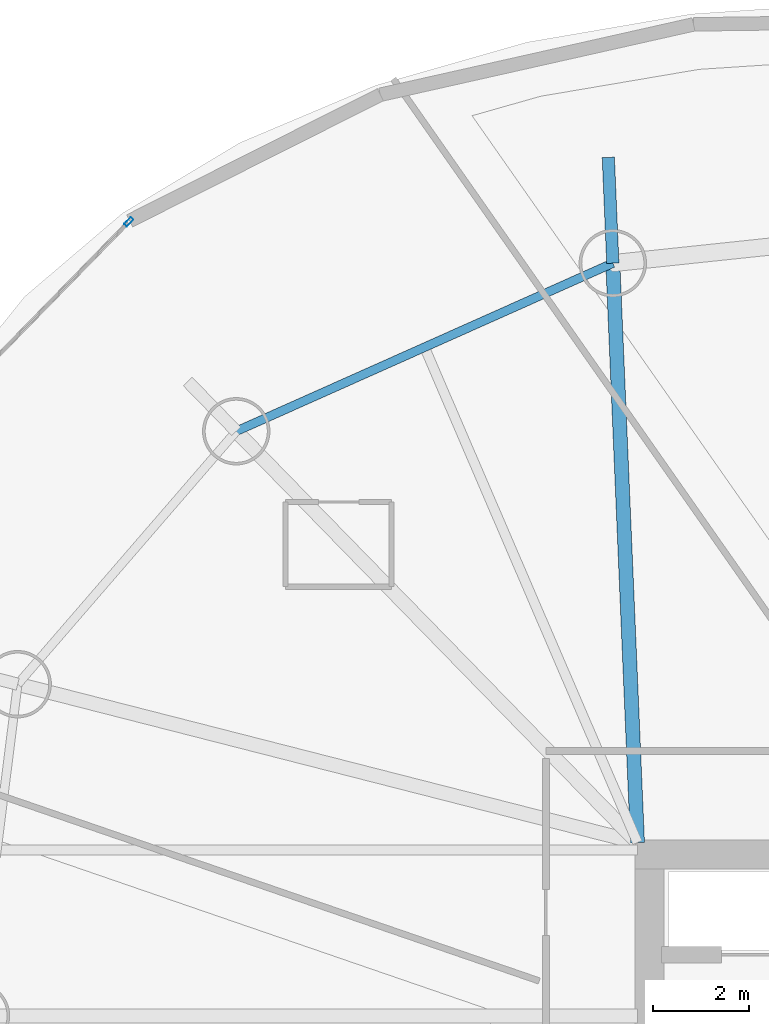
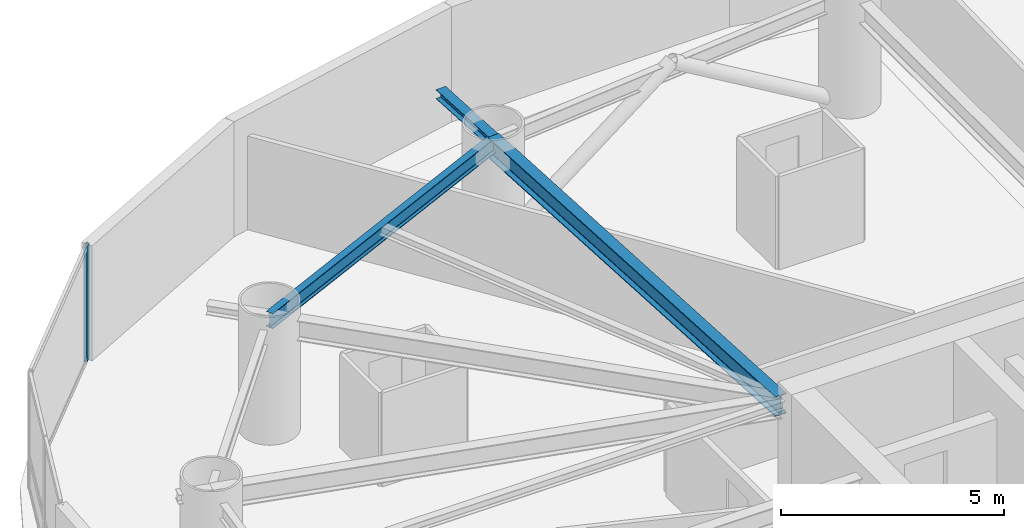
# One storey, part 12 of 21: 3 beams, 1 member, 1 element without a shape of its own.
"""IFC4 building model written with IfcOpenShell, lengths in metres."""

from ifc_helpers import new_model, si_unit, direction, frame, origin, origin_2d, place, context, subcontext, project, spatial, hollow_rectangle, i_section, extrude, material, layer, layer_set, material_profile, profile_set, type_object, element, aggregate, save


model = new_model("IFC4")

# Units and contexts
model_context = context("Model", 3, precision=1e-05, world=origin(), true_north=direction((0.0, 1.0)))
body_context = subcontext(model_context, "Body", "Model", "MODEL_VIEW")
ifc_project = project(units=[si_unit("LENGTHUNIT", "METRE"), si_unit("AREAUNIT", "SQUARE_METRE"), si_unit("VOLUMEUNIT", "CUBIC_METRE"), si_unit("PLANEANGLEUNIT", "RADIAN"), si_unit("MASSUNIT", "GRAM", prefix="KILO")], contexts=[model_context])

# Site, building, storey
site_placement = place(None, origin())
site = spatial("IfcSite", under=ifc_project, at=site_placement, CompositionType="ELEMENT")
building_placement = place(site_placement, origin())
building = spatial("IfcBuilding", under=site, at=building_placement, Name="Bramvorn Convention Spire", CompositionType="ELEMENT")
storey_placement = place(building_placement, frame((0.0, 0.0, 162.300048828125)))
storey = spatial("IfcBuildingStorey", under=building, at=storey_placement, Name="L41", CompositionType="ELEMENT", Elevation=162.300048828125)

# Beams
ifc_material_1 = material(Name="Steel CSA G40.21 Grade 350 (350W)", Category="steel")
ifc_material_profile_1 = material_profile(ifc_material_1, i_section(OverallWidth=0.25390625, OverallDepth=0.2529296875, WebThickness=0.008544921875, FlangeThickness=0.01416015625, FilletRadius=0.011962890625, at=origin_2d()))
ifc_profile_set_1 = profile_set([ifc_material_profile_1], Name="Steel CSA G40.21 Grade 350 (350W) - W250X73")
beam_type_1 = type_object("IfcBeamType", Name="BM-W250X73", PredefinedType="BEAM", material=ifc_profile_set_1)
beam_1_placement = place(storey_placement, frame((26.23828125, 45.478759765625, 3.0234375), z_axis=(-0.042535944966, 0.999094937123, 0.0), x_axis=(-0.999094937123, -0.042535944966, 0.0)))
element("IfcBeam", 1, at=beam_1_placement, inside=storey, type_object=beam_type_1, Name="L41 slab-edge cantilever tip beam MC07", PredefinedType="BEAM", context=body_context, shape_type="SweptSolid", body=[
    extrude(i_section(OverallWidth=0.25390625, OverallDepth=0.2529296875, WebThickness=0.008544921875, FlangeThickness=0.01416015625, FilletRadius=0.011962890625, at=origin_2d()), origin(), (0.0, 0.0, 1.0), 2.1982421875),
])
ifc_material_profile_2 = material_profile(ifc_material_1, i_section(OverallWidth=0.180908203125, OverallDepth=0.4169921875, WebThickness=0.010986328125, FlangeThickness=0.018310546875, FilletRadius=0.01611328125, at=origin_2d()))
ifc_profile_set_2 = profile_set([ifc_material_profile_2], Name="Steel CSA G40.21 Grade 350 (350W) - W410X85")
beam_type_2 = type_object("IfcBeamType", Name="BM-W410X85", PredefinedType="JOIST", material=ifc_profile_set_2)
beam_2_placement = place(storey_placement, frame((26.23828125, 45.478759765625, 2.94140625), z_axis=(-0.913169534701, -0.407579931908, 0.0), x_axis=(0.407579931908, -0.913169534701, 0.0)))
element("IfcBeam", 2, at=beam_2_placement, inside=storey, type_object=beam_type_2, Name="L41 mega-column ring beam 07", PredefinedType="JOIST", context=body_context, shape_type="SweptSolid", body=[
    extrude(i_section(OverallWidth=0.180908203125, OverallDepth=0.4169921875, WebThickness=0.010986328125, FlangeThickness=0.018310546875, FilletRadius=0.01611328125, at=origin_2d()), origin(), (0.0, 0.0, 1.0), 8.5615234375),
])
ifc_material_profile_3 = material_profile(ifc_material_1, i_section(OverallWidth=0.2919921875, OverallDepth=0.551025390625, WebThickness=0.01513671875, FlangeThickness=0.0244140625, FilletRadius=0.01904296875, at=origin_2d()))
ifc_profile_set_3 = profile_set([ifc_material_profile_3], Name="Steel CSA G40.21 Grade 350 (350W) - W530X182")
beam_type_3 = type_object("IfcBeamType", Name="BM-W530X182", PredefinedType="BEAM", material=ifc_profile_set_3)
beam_3_placement = place(storey_placement, frame((26.75, 33.449951171875, 2.87451171875), z_axis=(-0.042502657955, 0.999096353745, 0.0), x_axis=(-0.999096353745, -0.042502657955, 0.0)))
element("IfcBeam", 3, at=beam_3_placement, inside=storey, type_object=beam_type_3, Name="L41 radial floor girder MC07", PredefinedType="BEAM", context=body_context, shape_type="SweptSolid", body=[
    extrude(i_section(OverallWidth=0.2919921875, OverallDepth=0.551025390625, WebThickness=0.01513671875, FlangeThickness=0.0244140625, FilletRadius=0.01904296875, at=origin_2d()), origin(), (0.0, 0.0, 1.0), 12.039794921875),
])

# Curtain wall, member
ifc_material_2 = material(Name="Anodised Bronze Unitised Curtain Wall", Category="aluminium")
ifc_layer = layer(ifc_material_2, 0.179931640625)
ifc_layer_set = layer_set([ifc_layer], Name="Anodised Bronze Unitised Curtain Wall - CW-HTL-FRIT")
curtain_wall_type = type_object("IfcCurtainWallType", Name="CW-HTL-FRIT", PredefinedType="USERDEFINED", material=ifc_layer_set)
curtain_wall_placement = place(storey_placement, origin())
curtain_wall = element("IfcCurtainWall", 4, at=curtain_wall_placement, inside=storey, type_object=curtain_wall_type, Name="L41 fritted glass curtain wall 12", ObjectType="UNITISED CURTAIN WALL", PredefinedType="USERDEFINED")
ifc_material_3 = material(Name="Anodised Bronze Aluminium 6063-T6", Category="aluminium")
ifc_material_profile_4 = material_profile(ifc_material_3, hollow_rectangle(XDim=0.080078125, YDim=0.199951171875, WallThickness=0.00390625, InnerFilletRadius=0.0009765625, OuterFilletRadius=0.00390625, at=origin_2d()))
ifc_profile_set_4 = profile_set([ifc_material_profile_4], Name="Anodised Bronze Aluminium 6063-T6 - CWM80X200")
member_type = type_object("IfcMemberType", Name="CW-MUL-180", PredefinedType="MULLION", material=ifc_profile_set_4)
member_placement = place(storey_placement, frame((16.188232421875, 46.337158203125, 0.0), z_axis=(0.0, 0.0, 1.0), x_axis=(-0.715348995073, 0.698767354166, 0.0)))
member = element("IfcMember", 5, at=member_placement, type_object=member_type, Name="CW2 mullion 2", PredefinedType="MULLION", context=body_context, shape_type="SweptSolid", body=[
    extrude(hollow_rectangle(XDim=0.080078125, YDim=0.199951171875, WallThickness=0.00390625, InnerFilletRadius=0.0009765625, OuterFilletRadius=0.00390625, at=origin_2d()), origin(), (0.0, 0.0, 1.0), 3.14990234375),
])
aggregate(curtain_wall, [member])

save(model, "model.ifc")
